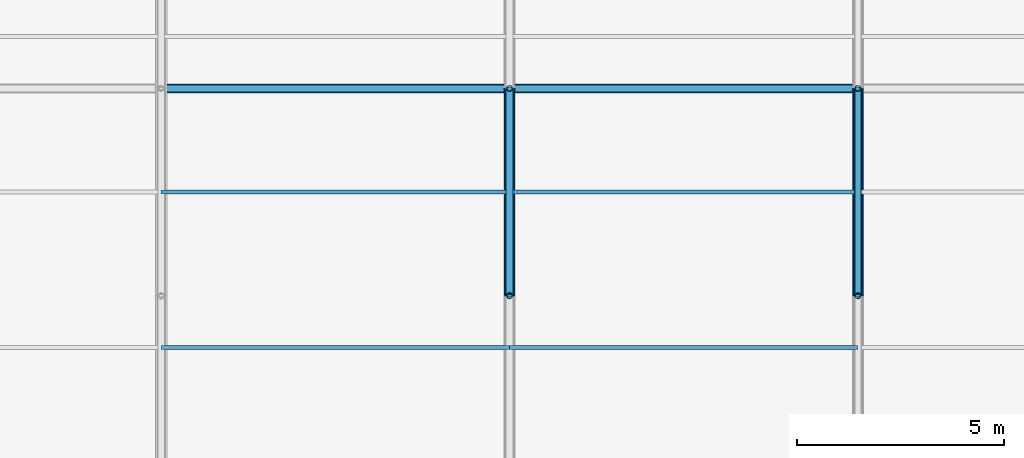
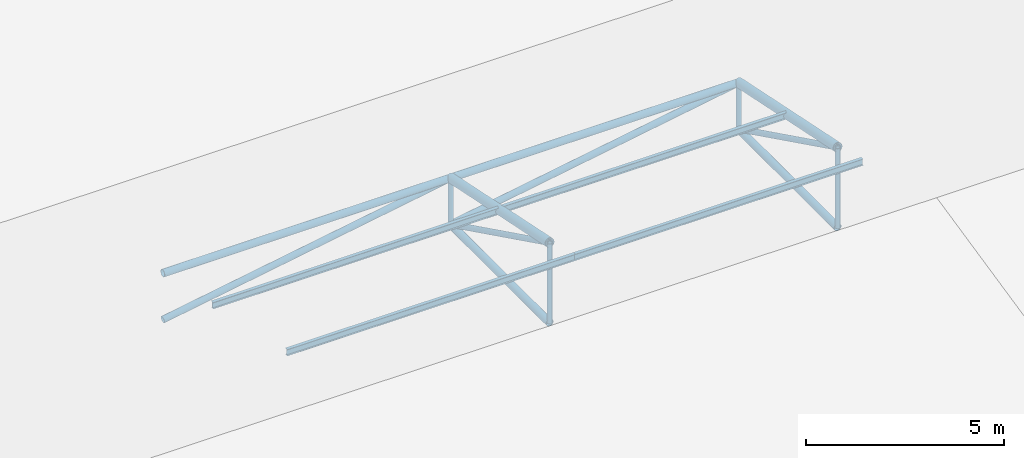
# One storey, part 28 of 194: 14 members, 4 beams.
"""IFC4 building model written with IfcOpenShell, lengths in metres."""

from ifc_helpers import new_model, si_unit, direction, frame, origin, origin_2d, place, context, subcontext, project, spatial, hollow_circle, i_section, extrude, material, material_profile, profile_set, type_object, element, save


model = new_model("IFC4")

# Units and contexts
model_context = context("Model", 3, precision=1e-05, world=origin(), true_north=direction((0.0, 1.0)))
body_context = subcontext(model_context, "Body", "Model", "MODEL_VIEW")
ifc_project = project(units=[si_unit("LENGTHUNIT", "METRE"), si_unit("AREAUNIT", "SQUARE_METRE"), si_unit("VOLUMEUNIT", "CUBIC_METRE"), si_unit("PLANEANGLEUNIT", "RADIAN"), si_unit("MASSUNIT", "GRAM", prefix="KILO")], contexts=[model_context])

# Site, building, storey
site_placement = place(None, origin())
site = spatial("IfcSite", under=ifc_project, at=site_placement, CompositionType="ELEMENT")
building_placement = place(site_placement, origin())
building = spatial("IfcBuilding", under=site, at=building_placement, Name="Kazenagashi Tramway Depot", CompositionType="ELEMENT")
storey_placement = place(building_placement, frame((0.0, 0.0, 23.7)))
storey = spatial("IfcBuildingStorey", under=building, at=storey_placement, Name="ROOF", CompositionType="ELEMENT", Elevation=23.7)

# Beams
ifc_material_1 = material(Name="Steel SN400B", Category="steel")
ifc_material_profile_1 = material_profile(ifc_material_1, i_section(OverallWidth=0.1, OverallDepth=0.2, WebThickness=0.0055, FlangeThickness=0.008, at=origin_2d()), Name="H-200x100x5.5x8")
ifc_profile_set_1 = profile_set([ifc_material_profile_1], Name="Steel SN400B")
beam_type = type_object("IfcBeamType", Name="PR-01", PredefinedType="USERDEFINED", material=ifc_profile_set_1)
for number, where, z_axis, x_axis, name in (
    (1, (78.4, 88.75, -11.305), (1.0, 0.0, 0.0), (0.0, 1.0, 0.0), "Beam PR-01 BM-2076"),
    (2, (86.8, 88.75, -11.305), (1.0, 0.0, 0.0), (0.0, 1.0, 0.0), "Beam PR-01 BM-2077"),
    (3, (78.4, 92.5, -12.13), (1.0, 0.0, 0.0), (0.0, 1.0, 0.0), "Beam PR-01 BM-2094"),
    (4, (86.8, 92.5, -12.13), (1.0, 0.0, 0.0), (0.0, 1.0, 0.0), "Beam PR-01 BM-2095"),
):
    element("IfcBeam", number, at=place(storey_placement, frame(where, z_axis=z_axis, x_axis=x_axis)), inside=storey, type_object=beam_type, Name=name, ObjectType="PURLIN", PredefinedType="USERDEFINED", context=body_context, shape_type="SweptSolid", body=[
        extrude(i_section(OverallWidth=0.1, OverallDepth=0.2, WebThickness=0.0055, FlangeThickness=0.008, at=origin_2d()), origin(), (0.0, 0.0, 1.0), 8.4),
    ])

# Members
ifc_material_2 = material(Name="Steel STK490", Category="steel")
ifc_material_profile_2 = material_profile(ifc_material_2, hollow_circle(Radius=0.1337, WallThickness=0.0093, at=origin_2d()), Name="CHS-267.4x9.3")
ifc_profile_set_2 = profile_set([ifc_material_profile_2], Name="Steel STK490")
member_type_1 = type_object("IfcMemberType", Name="TC-01", PredefinedType="CHORD", material=ifc_profile_set_2)
for number, where, z_axis, x_axis, name in (
    (5, (86.8, 90.0, -11.633), (0.0, 0.979279174591, -0.202514933305), (-1.0, 0.0, 0.0), "Tubular Space Frame TC-01 MEM-0318"),
    (6, (95.2, 90.0, -11.633), (0.0, 0.979279174591, -0.202514933305), (-1.0, 0.0, 0.0), "Tubular Space Frame TC-01 MEM-0379"),
):
    element("IfcMember", number, at=place(storey_placement, frame(where, z_axis=z_axis, x_axis=x_axis)), inside=storey, type_object=member_type_1, Name=name, PredefinedType="CHORD", context=body_context, shape_type="SweptSolid", body=[
        extrude(hollow_circle(Radius=0.1337, WallThickness=0.0093, at=origin_2d()), origin(), (0.0, 0.0, 1.0), 5.105796),
    ])
ifc_material_profile_3 = material_profile(ifc_material_2, hollow_circle(Radius=0.10815, WallThickness=0.0082, at=origin_2d()), Name="CHS-216.3x8.2")
ifc_profile_set_3 = profile_set([ifc_material_profile_3], Name="Steel STK490")
member_type_2 = type_object("IfcMemberType", Name="TC-02", PredefinedType="CHORD", material=ifc_profile_set_3)
member_1_placement = place(storey_placement, frame((78.4, 95.0, -12.667), z_axis=(1.0, 0.0, 0.0), x_axis=(0.0, 1.0, 0.0)))
element("IfcMember", 7, at=member_1_placement, inside=storey, type_object=member_type_2, Name="Tubular Space Frame TC-02 MEM-0274", PredefinedType="CHORD", context=body_context, shape_type="SweptSolid", body=[
    extrude(hollow_circle(Radius=0.10815, WallThickness=0.0082, at=origin_2d()), origin(), (0.0, 0.0, 1.0), 8.4),
])
member_2_placement = place(storey_placement, frame((86.8, 90.0, -14.1), z_axis=(0.0, 1.0, 0.0), x_axis=(-1.0, 0.0, 0.0)))
element("IfcMember", 8, at=member_2_placement, inside=storey, type_object=member_type_2, Name="Tubular Space Frame TC-02 MEM-0319", PredefinedType="CHORD", context=body_context, shape_type="SweptSolid", body=[
    extrude(hollow_circle(Radius=0.10815, WallThickness=0.0082, at=origin_2d()), origin(), (0.0, 0.0, 1.0), 5.0),
])
member_3_placement = place(storey_placement, frame((86.8, 95.0, -12.667), z_axis=(1.0, 0.0, 0.0), x_axis=(0.0, 1.0, 0.0)))
element("IfcMember", 9, at=member_3_placement, inside=storey, type_object=member_type_2, Name="Tubular Space Frame TC-02 MEM-0335", PredefinedType="CHORD", context=body_context, shape_type="SweptSolid", body=[
    extrude(hollow_circle(Radius=0.10815, WallThickness=0.0082, at=origin_2d()), origin(), (0.0, 0.0, 1.0), 8.4),
])
member_4_placement = place(storey_placement, frame((95.2, 90.0, -14.1), z_axis=(0.0, 1.0, 0.0), x_axis=(-1.0, 0.0, 0.0)))
element("IfcMember", 10, at=member_4_placement, inside=storey, type_object=member_type_2, Name="Tubular Space Frame TC-02 MEM-0380", PredefinedType="CHORD", context=body_context, shape_type="SweptSolid", body=[
    extrude(hollow_circle(Radius=0.10815, WallThickness=0.0082, at=origin_2d()), origin(), (0.0, 0.0, 1.0), 5.0),
])
ifc_material_profile_4 = material_profile(ifc_material_2, hollow_circle(Radius=0.0826, WallThickness=0.0071, at=origin_2d()), Name="CHS-165.2x7.1")
ifc_profile_set_4 = profile_set([ifc_material_profile_4], Name="Steel STK490")
member_type_3 = type_object("IfcMemberType", Name="TS-01", PredefinedType="STRUT", material=ifc_profile_set_4)
for number, where, z_axis, x_axis, name in (
    (11, (86.8, 90.0, -11.633), (0.0, 0.896782162482, -0.442472318969), (-1.0, 0.0, 0.0), "Tubular Space Frame TS-01 MEM-0320"),
    (12, (95.2, 90.0, -11.633), (0.0, 0.896782162482, -0.442472318969), (-1.0, 0.0, 0.0), "Tubular Space Frame TS-01 MEM-0381"),
):
    element("IfcMember", number, at=place(storey_placement, frame(where, z_axis=z_axis, x_axis=x_axis)), inside=storey, type_object=member_type_3, Name=name, PredefinedType="STRUT", context=body_context, shape_type="SweptSolid", body=[
        extrude(hollow_circle(Radius=0.0826, WallThickness=0.0071, at=origin_2d()), origin(), (0.0, 0.0, 1.0), 5.57549),
    ])
ifc_material_profile_5 = material_profile(ifc_material_2, hollow_circle(Radius=0.0699, WallThickness=0.0066, at=origin_2d()), Name="CHS-139.8x6.6")
ifc_profile_set_5 = profile_set([ifc_material_profile_5], Name="Steel STK490")
member_type_4 = type_object("IfcMemberType", Name="TS-02", PredefinedType="STRUT", material=ifc_profile_set_5)
member_5_placement = place(storey_placement, frame((86.8, 90.0, -14.1), z_axis=(0.0, 0.0, 1.0), x_axis=(1.0, 0.0, 0.0)))
element("IfcMember", 13, at=member_5_placement, inside=storey, type_object=member_type_4, Name="Tubular Space Frame TS-02 MEM-0328", PredefinedType="STRUT", context=body_context, shape_type="SweptSolid", body=[
    extrude(hollow_circle(Radius=0.0699, WallThickness=0.0066, at=origin_2d()), origin(), (0.0, 0.0, 1.0), 2.467),
])
member_6_placement = place(storey_placement, frame((86.8, 95.0, -14.1), z_axis=(0.0, 0.0, 1.0), x_axis=(1.0, 0.0, 0.0)))
element("IfcMember", 14, at=member_6_placement, inside=storey, type_object=member_type_4, Name="Tubular Space Frame TS-02 MEM-0329", PredefinedType="STRUT", context=body_context, shape_type="SweptSolid", body=[
    extrude(hollow_circle(Radius=0.0699, WallThickness=0.0066, at=origin_2d()), origin(), (0.0, 0.0, 1.0), 1.433),
])
member_7_placement = place(storey_placement, frame((95.2, 90.0, -14.1), z_axis=(0.0, 0.0, 1.0), x_axis=(1.0, 0.0, 0.0)))
element("IfcMember", 15, at=member_7_placement, inside=storey, type_object=member_type_4, Name="Tubular Space Frame TS-02 MEM-0389", PredefinedType="STRUT", context=body_context, shape_type="SweptSolid", body=[
    extrude(hollow_circle(Radius=0.0699, WallThickness=0.0066, at=origin_2d()), origin(), (0.0, 0.0, 1.0), 2.467),
])
member_8_placement = place(storey_placement, frame((95.2, 95.0, -14.1), z_axis=(0.0, 0.0, 1.0), x_axis=(1.0, 0.0, 0.0)))
element("IfcMember", 16, at=member_8_placement, inside=storey, type_object=member_type_4, Name="Tubular Space Frame TS-02 MEM-0390", PredefinedType="STRUT", context=body_context, shape_type="SweptSolid", body=[
    extrude(hollow_circle(Radius=0.0699, WallThickness=0.0066, at=origin_2d()), origin(), (0.0, 0.0, 1.0), 1.433),
])
ifc_material_profile_6 = material_profile(ifc_material_2, hollow_circle(Radius=0.09535, WallThickness=0.007, at=origin_2d()), Name="CHS-190.7x7.0")
ifc_profile_set_6 = profile_set([ifc_material_profile_6], Name="Steel STK490")
member_type_5 = type_object("IfcMemberType", Name="TS-05", PredefinedType="STRUT", material=ifc_profile_set_6)
for number, where, z_axis, x_axis, name in (
    (17, (78.4, 95.0, -14.1), (0.985758734117, 0.0, 0.168165745951), (0.0, 1.0, 0.0), "Tubular Space Frame TS-05 MEM-0275"),
    (18, (86.8, 95.0, -14.1), (0.985758734117, 0.0, 0.168165745951), (0.0, 1.0, 0.0), "Tubular Space Frame TS-05 MEM-0336"),
):
    element("IfcMember", number, at=place(storey_placement, frame(where, z_axis=z_axis, x_axis=x_axis)), inside=storey, type_object=member_type_5, Name=name, PredefinedType="STRUT", context=body_context, shape_type="SweptSolid", body=[
        extrude(hollow_circle(Radius=0.09535, WallThickness=0.007, at=origin_2d()), origin(), (0.0, 0.0, 1.0), 8.521355),
    ])

save(model, "model.ifc")
